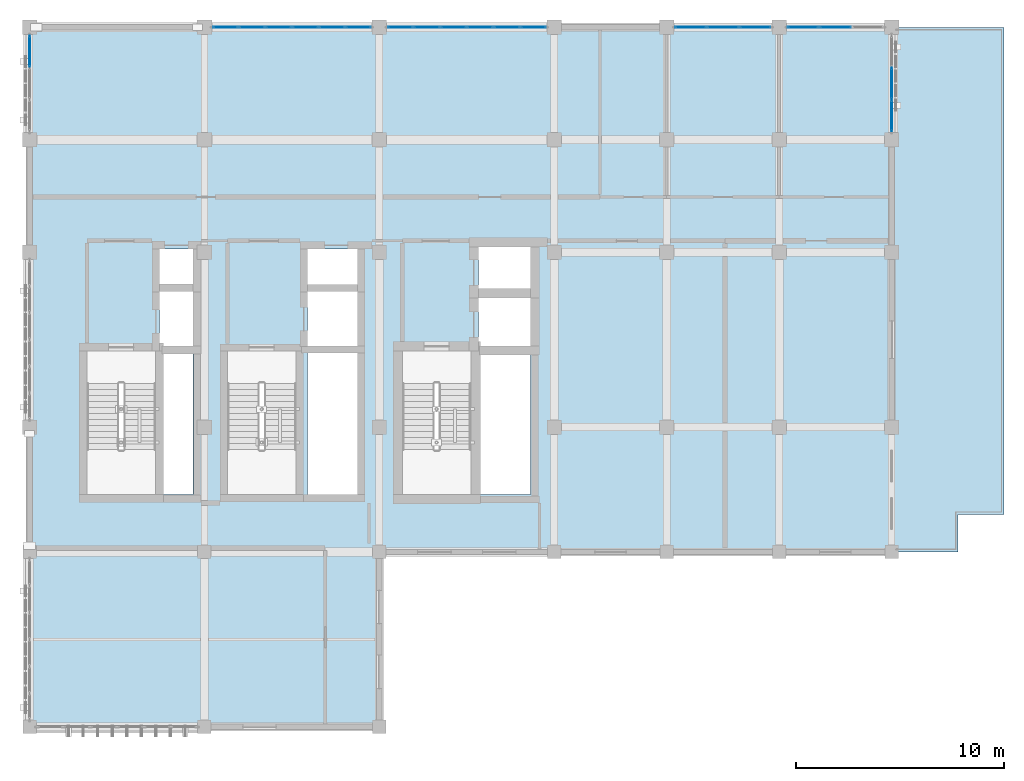
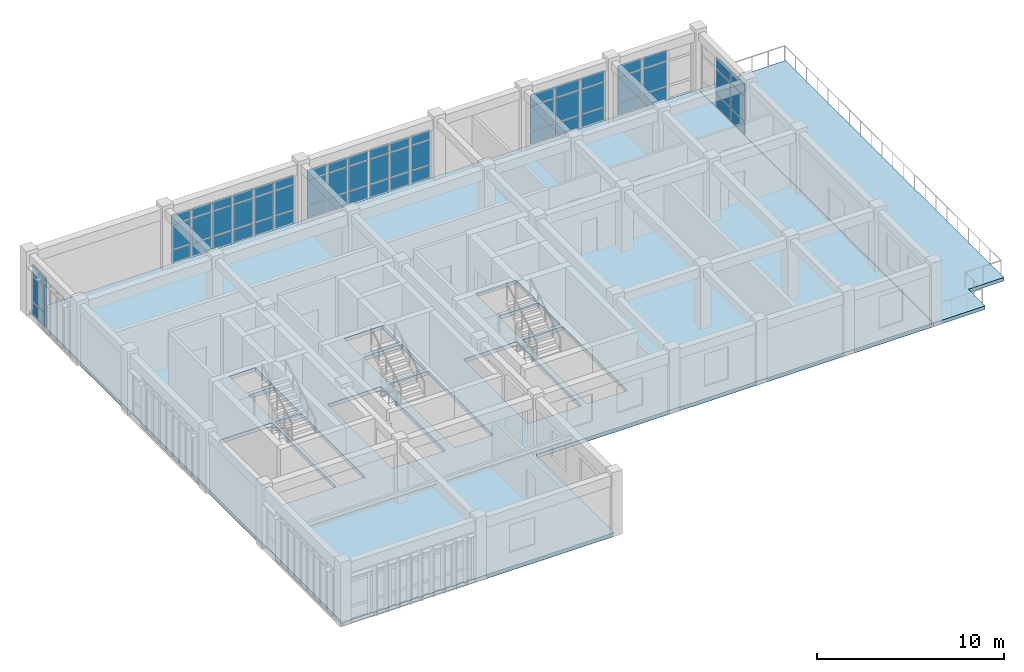
# One storey, part 17 of 22: 60 plates, 2 slabs, 6 elements without a shape of their own.
"""IFC4 building model written with IfcOpenShell, lengths in metres."""

from ifc_helpers import new_model, si_unit, direction, frame, origin, origin_2d, place, context, subcontext, project, spatial, polyline, rectangle, outline, extrude, material, layer, layer_set, type_object, element, aggregate, save


model = new_model("IFC4")

# Units and contexts
model_context = context("Model", 3, precision=1e-05, world=origin(), true_north=direction((0.0, 1.0)))
body_context = subcontext(model_context, "Body", "Model", "MODEL_VIEW")
ifc_project = project(units=[si_unit("LENGTHUNIT", "METRE"), si_unit("AREAUNIT", "SQUARE_METRE"), si_unit("VOLUMEUNIT", "CUBIC_METRE"), si_unit("PLANEANGLEUNIT", "RADIAN"), si_unit("MASSUNIT", "GRAM", prefix="KILO")], contexts=[model_context])

# Site, building, storey
site_placement = place(None, origin())
site = spatial("IfcSite", under=ifc_project, at=site_placement, CompositionType="ELEMENT")
building_placement = place(site_placement, origin())
building = spatial("IfcBuilding", under=site, at=building_placement, Name="Krzemoval Escarpment Law Courts", CompositionType="ELEMENT")
storey_placement = place(building_placement, frame((0.0, 0.0, 29.39990234375)))
storey = spatial("IfcBuildingStorey", under=building, at=storey_placement, Name="L06", CompositionType="ELEMENT", Elevation=29.39990234375)

# Curtain wall, plates
ifc_material_1 = material(Name="Aluminium 6063-T6", Category="aluminium")
ifc_layer_1 = layer(ifc_material_1, 0.219970703125)
ifc_layer_set_1 = layer_set([ifc_layer_1], Name="Aluminium 6063-T6")
curtain_wall_type = type_object("IfcCurtainWallType", Name="CW-CHMB-4200", PredefinedType="USERDEFINED", material=ifc_layer_set_1)
curtain_wall_1_placement = place(storey_placement, origin())
curtain_wall_1 = element("IfcCurtainWall", 1, at=curtain_wall_1_placement, inside=storey, type_object=curtain_wall_type, Name="Unitised Curtain Wall FCW-L06-148", ObjectType="UNITISED_CURTAIN_WALL", PredefinedType="USERDEFINED")
ifc_material_2 = material(Name="Triple Glazing IGU", Category="glass")
ifc_layer_2 = layer(ifc_material_2, 0.0419921875)
ifc_layer_set_2 = layer_set([ifc_layer_2], Name="Triple Glazing IGU")
plate_type = type_object("IfcPlateType", Name="CWP-GLZ-42", PredefinedType="CURTAIN_PANEL", material=ifc_layer_set_2)
plate_1_placement = place(storey_placement, frame((126.0, 117.650390625, 0.06494140625), z_axis=(0.0, 0.0, 1.0), x_axis=(0.0, 1.0, 0.0)))
plate_1 = element("IfcPlate", 2, at=plate_1_placement, type_object=plate_type, Name="FCW-L06-148 panel 3.1", PredefinedType="CURTAIN_PANEL", context=body_context, shape_type="SweptSolid", body=[
    extrude(rectangle(XDim=1.46923828125, YDim=0.0419921875, at=origin_2d()), origin(), (0.0, 0.0, 1.0), 0.802490234375),
])
plate_2_placement = place(storey_placement, frame((126.0, 117.650390625, 0.9326171875), z_axis=(0.0, 0.0, 1.0), x_axis=(0.0, 1.0, 0.0)))
plate_2 = element("IfcPlate", 3, at=plate_2_placement, type_object=plate_type, Name="FCW-L06-148 panel 3.2", PredefinedType="CURTAIN_PANEL", context=body_context, shape_type="SweptSolid", body=[
    extrude(rectangle(XDim=1.46923828125, YDim=0.0419921875, at=origin_2d()), origin(), (0.0, 0.0, 1.0), 1.5849609375),
])
plate_3_placement = place(storey_placement, frame((126.0, 117.650390625, 2.58251953125), z_axis=(0.0, 0.0, 1.0), x_axis=(0.0, 1.0, 0.0)))
plate_3 = element("IfcPlate", 4, at=plate_3_placement, type_object=plate_type, Name="FCW-L06-148 panel 3.3", PredefinedType="CURTAIN_PANEL", context=body_context, shape_type="SweptSolid", body=[
    extrude(rectangle(XDim=1.46923828125, YDim=0.0419921875, at=origin_2d()), origin(), (0.0, 0.0, 1.0), 0.75244140625),
])
aggregate(curtain_wall_1, [plate_1, plate_2, plate_3])

curtain_wall_2_placement = place(storey_placement, origin())
curtain_wall_2 = element("IfcCurtainWall", 5, at=curtain_wall_2_placement, inside=storey, type_object=curtain_wall_type, Name="Unitised Curtain Wall FCW-L06-149", ObjectType="UNITISED_CURTAIN_WALL", PredefinedType="USERDEFINED")
plate_4_placement = place(storey_placement, frame((135.407958984375, 118.800048828125, 0.06494140625), z_axis=(0.0, 0.0, 1.0), x_axis=(1.0, 0.0, 0.0)))
plate_4 = element("IfcPlate", 6, at=plate_4_placement, type_object=plate_type, Name="FCW-L06-149 panel 1.1", PredefinedType="CURTAIN_PANEL", context=body_context, shape_type="SweptSolid", body=[
    extrude(rectangle(XDim=1.185791015625, YDim=0.0419921875, at=origin_2d()), origin(), (0.0, 0.0, 1.0), 0.802490234375),
])
plate_5_placement = place(storey_placement, frame((135.407958984375, 118.800048828125, 0.9326171875), z_axis=(0.0, 0.0, 1.0), x_axis=(1.0, 0.0, 0.0)))
plate_5 = element("IfcPlate", 7, at=plate_5_placement, type_object=plate_type, Name="FCW-L06-149 panel 1.2", PredefinedType="CURTAIN_PANEL", context=body_context, shape_type="SweptSolid", body=[
    extrude(rectangle(XDim=1.185791015625, YDim=0.0419921875, at=origin_2d()), origin(), (0.0, 0.0, 1.0), 1.5849609375),
])
plate_6_placement = place(storey_placement, frame((135.407958984375, 118.800048828125, 2.58251953125), z_axis=(0.0, 0.0, 1.0), x_axis=(1.0, 0.0, 0.0)))
plate_6 = element("IfcPlate", 8, at=plate_6_placement, type_object=plate_type, Name="FCW-L06-149 panel 1.3", PredefinedType="CURTAIN_PANEL", context=body_context, shape_type="SweptSolid", body=[
    extrude(rectangle(XDim=1.185791015625, YDim=0.0419921875, at=origin_2d()), origin(), (0.0, 0.0, 1.0), 0.6025390625),
])
plate_7_placement = place(storey_placement, frame((136.675048828125, 118.800048828125, 0.06494140625), z_axis=(0.0, 0.0, 1.0), x_axis=(1.0, 0.0, 0.0)))
plate_7 = element("IfcPlate", 9, at=plate_7_placement, type_object=plate_type, Name="FCW-L06-149 panel 2.1", PredefinedType="CURTAIN_PANEL", context=body_context, shape_type="SweptSolid", body=[
    extrude(rectangle(XDim=1.21826171875, YDim=0.0419921875, at=origin_2d()), origin(), (0.0, 0.0, 1.0), 0.802490234375),
])
plate_8_placement = place(storey_placement, frame((136.675048828125, 118.800048828125, 0.9326171875), z_axis=(0.0, 0.0, 1.0), x_axis=(1.0, 0.0, 0.0)))
plate_8 = element("IfcPlate", 10, at=plate_8_placement, type_object=plate_type, Name="FCW-L06-149 panel 2.2", PredefinedType="CURTAIN_PANEL", context=body_context, shape_type="SweptSolid", body=[
    extrude(rectangle(XDim=1.21826171875, YDim=0.0419921875, at=origin_2d()), origin(), (0.0, 0.0, 1.0), 1.5849609375),
])
plate_9_placement = place(storey_placement, frame((136.675048828125, 118.800048828125, 2.58251953125), z_axis=(0.0, 0.0, 1.0), x_axis=(1.0, 0.0, 0.0)))
plate_9 = element("IfcPlate", 11, at=plate_9_placement, type_object=plate_type, Name="FCW-L06-149 panel 2.3", PredefinedType="CURTAIN_PANEL", context=body_context, shape_type="SweptSolid", body=[
    extrude(rectangle(XDim=1.21826171875, YDim=0.0419921875, at=origin_2d()), origin(), (0.0, 0.0, 1.0), 0.6025390625),
])
plate_10_placement = place(storey_placement, frame((137.958251953125, 118.800048828125, 0.06494140625), z_axis=(0.0, 0.0, 1.0), x_axis=(1.0, 0.0, 0.0)))
plate_10 = element("IfcPlate", 12, at=plate_10_placement, type_object=plate_type, Name="FCW-L06-149 panel 3.1", PredefinedType="CURTAIN_PANEL", context=body_context, shape_type="SweptSolid", body=[
    extrude(rectangle(XDim=1.21826171875, YDim=0.0419921875, at=origin_2d()), origin(), (0.0, 0.0, 1.0), 0.802490234375),
])
plate_11_placement = place(storey_placement, frame((137.958251953125, 118.800048828125, 0.9326171875), z_axis=(0.0, 0.0, 1.0), x_axis=(1.0, 0.0, 0.0)))
plate_11 = element("IfcPlate", 13, at=plate_11_placement, type_object=plate_type, Name="FCW-L06-149 panel 3.2", PredefinedType="CURTAIN_PANEL", context=body_context, shape_type="SweptSolid", body=[
    extrude(rectangle(XDim=1.21826171875, YDim=0.0419921875, at=origin_2d()), origin(), (0.0, 0.0, 1.0), 1.5849609375),
])
plate_12_placement = place(storey_placement, frame((137.958251953125, 118.800048828125, 2.58251953125), z_axis=(0.0, 0.0, 1.0), x_axis=(1.0, 0.0, 0.0)))
plate_12 = element("IfcPlate", 14, at=plate_12_placement, type_object=plate_type, Name="FCW-L06-149 panel 3.3", PredefinedType="CURTAIN_PANEL", context=body_context, shape_type="SweptSolid", body=[
    extrude(rectangle(XDim=1.21826171875, YDim=0.0419921875, at=origin_2d()), origin(), (0.0, 0.0, 1.0), 0.6025390625),
])
plate_13_placement = place(storey_placement, frame((139.24169921875, 118.800048828125, 0.06494140625), z_axis=(0.0, 0.0, 1.0), x_axis=(1.0, 0.0, 0.0)))
plate_13 = element("IfcPlate", 15, at=plate_13_placement, type_object=plate_type, Name="FCW-L06-149 panel 4.1", PredefinedType="CURTAIN_PANEL", context=body_context, shape_type="SweptSolid", body=[
    extrude(rectangle(XDim=1.21826171875, YDim=0.0419921875, at=origin_2d()), origin(), (0.0, 0.0, 1.0), 0.802490234375),
])
plate_14_placement = place(storey_placement, frame((139.24169921875, 118.800048828125, 0.9326171875), z_axis=(0.0, 0.0, 1.0), x_axis=(1.0, 0.0, 0.0)))
plate_14 = element("IfcPlate", 16, at=plate_14_placement, type_object=plate_type, Name="FCW-L06-149 panel 4.2", PredefinedType="CURTAIN_PANEL", context=body_context, shape_type="SweptSolid", body=[
    extrude(rectangle(XDim=1.21826171875, YDim=0.0419921875, at=origin_2d()), origin(), (0.0, 0.0, 1.0), 1.5849609375),
])
plate_15_placement = place(storey_placement, frame((139.24169921875, 118.800048828125, 2.58251953125), z_axis=(0.0, 0.0, 1.0), x_axis=(1.0, 0.0, 0.0)))
plate_15 = element("IfcPlate", 17, at=plate_15_placement, type_object=plate_type, Name="FCW-L06-149 panel 4.3", PredefinedType="CURTAIN_PANEL", context=body_context, shape_type="SweptSolid", body=[
    extrude(rectangle(XDim=1.21826171875, YDim=0.0419921875, at=origin_2d()), origin(), (0.0, 0.0, 1.0), 0.6025390625),
])
plate_16_placement = place(storey_placement, frame((140.52490234375, 118.800048828125, 0.06494140625), z_axis=(0.0, 0.0, 1.0), x_axis=(1.0, 0.0, 0.0)))
plate_16 = element("IfcPlate", 18, at=plate_16_placement, type_object=plate_type, Name="FCW-L06-149 panel 5.1", PredefinedType="CURTAIN_PANEL", context=body_context, shape_type="SweptSolid", body=[
    extrude(rectangle(XDim=1.21826171875, YDim=0.0419921875, at=origin_2d()), origin(), (0.0, 0.0, 1.0), 0.802490234375),
])
plate_17_placement = place(storey_placement, frame((140.52490234375, 118.800048828125, 0.9326171875), z_axis=(0.0, 0.0, 1.0), x_axis=(1.0, 0.0, 0.0)))
plate_17 = element("IfcPlate", 19, at=plate_17_placement, type_object=plate_type, Name="FCW-L06-149 panel 5.2", PredefinedType="CURTAIN_PANEL", context=body_context, shape_type="SweptSolid", body=[
    extrude(rectangle(XDim=1.21826171875, YDim=0.0419921875, at=origin_2d()), origin(), (0.0, 0.0, 1.0), 1.5849609375),
])
plate_18_placement = place(storey_placement, frame((140.52490234375, 118.800048828125, 2.58251953125), z_axis=(0.0, 0.0, 1.0), x_axis=(1.0, 0.0, 0.0)))
plate_18 = element("IfcPlate", 20, at=plate_18_placement, type_object=plate_type, Name="FCW-L06-149 panel 5.3", PredefinedType="CURTAIN_PANEL", context=body_context, shape_type="SweptSolid", body=[
    extrude(rectangle(XDim=1.21826171875, YDim=0.0419921875, at=origin_2d()), origin(), (0.0, 0.0, 1.0), 0.6025390625),
])
plate_19_placement = place(storey_placement, frame((141.7919921875, 118.800048828125, 0.06494140625), z_axis=(0.0, 0.0, 1.0), x_axis=(1.0, 0.0, 0.0)))
plate_19 = element("IfcPlate", 21, at=plate_19_placement, type_object=plate_type, Name="FCW-L06-149 panel 6.1", PredefinedType="CURTAIN_PANEL", context=body_context, shape_type="SweptSolid", body=[
    extrude(rectangle(XDim=1.185791015625, YDim=0.0419921875, at=origin_2d()), origin(), (0.0, 0.0, 1.0), 0.802490234375),
])
plate_20_placement = place(storey_placement, frame((141.7919921875, 118.800048828125, 0.9326171875), z_axis=(0.0, 0.0, 1.0), x_axis=(1.0, 0.0, 0.0)))
plate_20 = element("IfcPlate", 22, at=plate_20_placement, type_object=plate_type, Name="FCW-L06-149 panel 6.2", PredefinedType="CURTAIN_PANEL", context=body_context, shape_type="SweptSolid", body=[
    extrude(rectangle(XDim=1.185791015625, YDim=0.0419921875, at=origin_2d()), origin(), (0.0, 0.0, 1.0), 1.5849609375),
])
plate_21_placement = place(storey_placement, frame((141.7919921875, 118.800048828125, 2.58251953125), z_axis=(0.0, 0.0, 1.0), x_axis=(1.0, 0.0, 0.0)))
plate_21 = element("IfcPlate", 23, at=plate_21_placement, type_object=plate_type, Name="FCW-L06-149 panel 6.3", PredefinedType="CURTAIN_PANEL", context=body_context, shape_type="SweptSolid", body=[
    extrude(rectangle(XDim=1.185791015625, YDim=0.0419921875, at=origin_2d()), origin(), (0.0, 0.0, 1.0), 0.6025390625),
])
aggregate(curtain_wall_2, [plate_4, plate_5, plate_6, plate_7, plate_8, plate_9, plate_10, plate_11, plate_12, plate_13, plate_14, plate_15, plate_16, plate_17, plate_18, plate_19, plate_20, plate_21])

curtain_wall_3_placement = place(storey_placement, origin())
curtain_wall_3 = element("IfcCurtainWall", 24, at=curtain_wall_3_placement, inside=storey, type_object=curtain_wall_type, Name="Unitised Curtain Wall FCW-L06-150", ObjectType="UNITISED_CURTAIN_WALL", PredefinedType="USERDEFINED")
plate_22_placement = place(storey_placement, frame((143.807861328125, 118.800048828125, 0.06494140625), z_axis=(0.0, 0.0, 1.0), x_axis=(1.0, 0.0, 0.0)))
plate_22 = element("IfcPlate", 25, at=plate_22_placement, type_object=plate_type, Name="FCW-L06-150 panel 1.1", PredefinedType="CURTAIN_PANEL", context=body_context, shape_type="SweptSolid", body=[
    extrude(rectangle(XDim=1.185791015625, YDim=0.0419921875, at=origin_2d()), origin(), (0.0, 0.0, 1.0), 0.802490234375),
])
plate_23_placement = place(storey_placement, frame((143.807861328125, 118.800048828125, 0.9326171875), z_axis=(0.0, 0.0, 1.0), x_axis=(1.0, 0.0, 0.0)))
plate_23 = element("IfcPlate", 26, at=plate_23_placement, type_object=plate_type, Name="FCW-L06-150 panel 1.2", PredefinedType="CURTAIN_PANEL", context=body_context, shape_type="SweptSolid", body=[
    extrude(rectangle(XDim=1.185791015625, YDim=0.0419921875, at=origin_2d()), origin(), (0.0, 0.0, 1.0), 1.5849609375),
])
plate_24_placement = place(storey_placement, frame((143.807861328125, 118.800048828125, 2.58251953125), z_axis=(0.0, 0.0, 1.0), x_axis=(1.0, 0.0, 0.0)))
plate_24 = element("IfcPlate", 27, at=plate_24_placement, type_object=plate_type, Name="FCW-L06-150 panel 1.3", PredefinedType="CURTAIN_PANEL", context=body_context, shape_type="SweptSolid", body=[
    extrude(rectangle(XDim=1.185791015625, YDim=0.0419921875, at=origin_2d()), origin(), (0.0, 0.0, 1.0), 0.6025390625),
])
plate_25_placement = place(storey_placement, frame((145.074951171875, 118.800048828125, 0.06494140625), z_axis=(0.0, 0.0, 1.0), x_axis=(1.0, 0.0, 0.0)))
plate_25 = element("IfcPlate", 28, at=plate_25_placement, type_object=plate_type, Name="FCW-L06-150 panel 2.1", PredefinedType="CURTAIN_PANEL", context=body_context, shape_type="SweptSolid", body=[
    extrude(rectangle(XDim=1.21826171875, YDim=0.0419921875, at=origin_2d()), origin(), (0.0, 0.0, 1.0), 0.802490234375),
])
plate_26_placement = place(storey_placement, frame((145.074951171875, 118.800048828125, 0.9326171875), z_axis=(0.0, 0.0, 1.0), x_axis=(1.0, 0.0, 0.0)))
plate_26 = element("IfcPlate", 29, at=plate_26_placement, type_object=plate_type, Name="FCW-L06-150 panel 2.2", PredefinedType="CURTAIN_PANEL", context=body_context, shape_type="SweptSolid", body=[
    extrude(rectangle(XDim=1.21826171875, YDim=0.0419921875, at=origin_2d()), origin(), (0.0, 0.0, 1.0), 1.5849609375),
])
plate_27_placement = place(storey_placement, frame((145.074951171875, 118.800048828125, 2.58251953125), z_axis=(0.0, 0.0, 1.0), x_axis=(1.0, 0.0, 0.0)))
plate_27 = element("IfcPlate", 30, at=plate_27_placement, type_object=plate_type, Name="FCW-L06-150 panel 2.3", PredefinedType="CURTAIN_PANEL", context=body_context, shape_type="SweptSolid", body=[
    extrude(rectangle(XDim=1.21826171875, YDim=0.0419921875, at=origin_2d()), origin(), (0.0, 0.0, 1.0), 0.6025390625),
])
plate_28_placement = place(storey_placement, frame((146.3583984375, 118.800048828125, 0.06494140625), z_axis=(0.0, 0.0, 1.0), x_axis=(1.0, 0.0, 0.0)))
plate_28 = element("IfcPlate", 31, at=plate_28_placement, type_object=plate_type, Name="FCW-L06-150 panel 3.1", PredefinedType="CURTAIN_PANEL", context=body_context, shape_type="SweptSolid", body=[
    extrude(rectangle(XDim=1.21826171875, YDim=0.0419921875, at=origin_2d()), origin(), (0.0, 0.0, 1.0), 0.802490234375),
])
plate_29_placement = place(storey_placement, frame((146.3583984375, 118.800048828125, 0.9326171875), z_axis=(0.0, 0.0, 1.0), x_axis=(1.0, 0.0, 0.0)))
plate_29 = element("IfcPlate", 32, at=plate_29_placement, type_object=plate_type, Name="FCW-L06-150 panel 3.2", PredefinedType="CURTAIN_PANEL", context=body_context, shape_type="SweptSolid", body=[
    extrude(rectangle(XDim=1.21826171875, YDim=0.0419921875, at=origin_2d()), origin(), (0.0, 0.0, 1.0), 1.5849609375),
])
plate_30_placement = place(storey_placement, frame((146.3583984375, 118.800048828125, 2.58251953125), z_axis=(0.0, 0.0, 1.0), x_axis=(1.0, 0.0, 0.0)))
plate_30 = element("IfcPlate", 33, at=plate_30_placement, type_object=plate_type, Name="FCW-L06-150 panel 3.3", PredefinedType="CURTAIN_PANEL", context=body_context, shape_type="SweptSolid", body=[
    extrude(rectangle(XDim=1.21826171875, YDim=0.0419921875, at=origin_2d()), origin(), (0.0, 0.0, 1.0), 0.6025390625),
])
plate_31_placement = place(storey_placement, frame((147.6416015625, 118.800048828125, 0.06494140625), z_axis=(0.0, 0.0, 1.0), x_axis=(1.0, 0.0, 0.0)))
plate_31 = element("IfcPlate", 34, at=plate_31_placement, type_object=plate_type, Name="FCW-L06-150 panel 4.1", PredefinedType="CURTAIN_PANEL", context=body_context, shape_type="SweptSolid", body=[
    extrude(rectangle(XDim=1.21826171875, YDim=0.0419921875, at=origin_2d()), origin(), (0.0, 0.0, 1.0), 0.802490234375),
])
plate_32_placement = place(storey_placement, frame((147.6416015625, 118.800048828125, 0.9326171875), z_axis=(0.0, 0.0, 1.0), x_axis=(1.0, 0.0, 0.0)))
plate_32 = element("IfcPlate", 35, at=plate_32_placement, type_object=plate_type, Name="FCW-L06-150 panel 4.2", PredefinedType="CURTAIN_PANEL", context=body_context, shape_type="SweptSolid", body=[
    extrude(rectangle(XDim=1.21826171875, YDim=0.0419921875, at=origin_2d()), origin(), (0.0, 0.0, 1.0), 1.5849609375),
])
plate_33_placement = place(storey_placement, frame((147.6416015625, 118.800048828125, 2.58251953125), z_axis=(0.0, 0.0, 1.0), x_axis=(1.0, 0.0, 0.0)))
plate_33 = element("IfcPlate", 36, at=plate_33_placement, type_object=plate_type, Name="FCW-L06-150 panel 4.3", PredefinedType="CURTAIN_PANEL", context=body_context, shape_type="SweptSolid", body=[
    extrude(rectangle(XDim=1.21826171875, YDim=0.0419921875, at=origin_2d()), origin(), (0.0, 0.0, 1.0), 0.6025390625),
])
plate_34_placement = place(storey_placement, frame((148.925048828125, 118.800048828125, 0.06494140625), z_axis=(0.0, 0.0, 1.0), x_axis=(1.0, 0.0, 0.0)))
plate_34 = element("IfcPlate", 37, at=plate_34_placement, type_object=plate_type, Name="FCW-L06-150 panel 5.1", PredefinedType="CURTAIN_PANEL", context=body_context, shape_type="SweptSolid", body=[
    extrude(rectangle(XDim=1.21826171875, YDim=0.0419921875, at=origin_2d()), origin(), (0.0, 0.0, 1.0), 0.802490234375),
])
plate_35_placement = place(storey_placement, frame((148.925048828125, 118.800048828125, 0.9326171875), z_axis=(0.0, 0.0, 1.0), x_axis=(1.0, 0.0, 0.0)))
plate_35 = element("IfcPlate", 38, at=plate_35_placement, type_object=plate_type, Name="FCW-L06-150 panel 5.2", PredefinedType="CURTAIN_PANEL", context=body_context, shape_type="SweptSolid", body=[
    extrude(rectangle(XDim=1.21826171875, YDim=0.0419921875, at=origin_2d()), origin(), (0.0, 0.0, 1.0), 1.5849609375),
])
plate_36_placement = place(storey_placement, frame((148.925048828125, 118.800048828125, 2.58251953125), z_axis=(0.0, 0.0, 1.0), x_axis=(1.0, 0.0, 0.0)))
plate_36 = element("IfcPlate", 39, at=plate_36_placement, type_object=plate_type, Name="FCW-L06-150 panel 5.3", PredefinedType="CURTAIN_PANEL", context=body_context, shape_type="SweptSolid", body=[
    extrude(rectangle(XDim=1.21826171875, YDim=0.0419921875, at=origin_2d()), origin(), (0.0, 0.0, 1.0), 0.6025390625),
])
plate_37_placement = place(storey_placement, frame((150.192138671875, 118.800048828125, 0.06494140625), z_axis=(0.0, 0.0, 1.0), x_axis=(1.0, 0.0, 0.0)))
plate_37 = element("IfcPlate", 40, at=plate_37_placement, type_object=plate_type, Name="FCW-L06-150 panel 6.1", PredefinedType="CURTAIN_PANEL", context=body_context, shape_type="SweptSolid", body=[
    extrude(rectangle(XDim=1.185791015625, YDim=0.0419921875, at=origin_2d()), origin(), (0.0, 0.0, 1.0), 0.802490234375),
])
plate_38_placement = place(storey_placement, frame((150.192138671875, 118.800048828125, 0.9326171875), z_axis=(0.0, 0.0, 1.0), x_axis=(1.0, 0.0, 0.0)))
plate_38 = element("IfcPlate", 41, at=plate_38_placement, type_object=plate_type, Name="FCW-L06-150 panel 6.2", PredefinedType="CURTAIN_PANEL", context=body_context, shape_type="SweptSolid", body=[
    extrude(rectangle(XDim=1.185791015625, YDim=0.0419921875, at=origin_2d()), origin(), (0.0, 0.0, 1.0), 1.5849609375),
])
plate_39_placement = place(storey_placement, frame((150.192138671875, 118.800048828125, 2.58251953125), z_axis=(0.0, 0.0, 1.0), x_axis=(1.0, 0.0, 0.0)))
plate_39 = element("IfcPlate", 42, at=plate_39_placement, type_object=plate_type, Name="FCW-L06-150 panel 6.3", PredefinedType="CURTAIN_PANEL", context=body_context, shape_type="SweptSolid", body=[
    extrude(rectangle(XDim=1.185791015625, YDim=0.0419921875, at=origin_2d()), origin(), (0.0, 0.0, 1.0), 0.6025390625),
])
aggregate(curtain_wall_3, [plate_22, plate_23, plate_24, plate_25, plate_26, plate_27, plate_28, plate_29, plate_30, plate_31, plate_32, plate_33, plate_34, plate_35, plate_36, plate_37, plate_38, plate_39])

curtain_wall_4_placement = place(storey_placement, origin())
curtain_wall_4 = element("IfcCurtainWall", 43, at=curtain_wall_4_placement, inside=storey, type_object=curtain_wall_type, Name="Unitised Curtain Wall FCW-L06-151", ObjectType="UNITISED_CURTAIN_WALL", PredefinedType="USERDEFINED")
plate_40_placement = place(storey_placement, frame((157.74951171875, 118.800048828125, 0.06494140625), z_axis=(0.0, 0.0, 1.0), x_axis=(1.0, 0.0, 0.0)))
plate_40 = element("IfcPlate", 44, at=plate_40_placement, type_object=plate_type, Name="FCW-L06-151 panel 1.1", PredefinedType="CURTAIN_PANEL", context=body_context, shape_type="SweptSolid", body=[
    extrude(rectangle(XDim=1.46923828125, YDim=0.0419921875, at=origin_2d()), origin(), (0.0, 0.0, 1.0), 0.802490234375),
])
plate_41_placement = place(storey_placement, frame((157.74951171875, 118.800048828125, 0.9326171875), z_axis=(0.0, 0.0, 1.0), x_axis=(1.0, 0.0, 0.0)))
plate_41 = element("IfcPlate", 45, at=plate_41_placement, type_object=plate_type, Name="FCW-L06-151 panel 1.2", PredefinedType="CURTAIN_PANEL", context=body_context, shape_type="SweptSolid", body=[
    extrude(rectangle(XDim=1.46923828125, YDim=0.0419921875, at=origin_2d()), origin(), (0.0, 0.0, 1.0), 1.5849609375),
])
plate_42_placement = place(storey_placement, frame((157.74951171875, 118.800048828125, 2.58251953125), z_axis=(0.0, 0.0, 1.0), x_axis=(1.0, 0.0, 0.0)))
plate_42 = element("IfcPlate", 46, at=plate_42_placement, type_object=plate_type, Name="FCW-L06-151 panel 1.3", PredefinedType="CURTAIN_PANEL", context=body_context, shape_type="SweptSolid", body=[
    extrude(rectangle(XDim=1.46923828125, YDim=0.0419921875, at=origin_2d()), origin(), (0.0, 0.0, 1.0), 0.702392578125),
])
plate_43_placement = place(storey_placement, frame((159.300048828125, 118.800048828125, 0.06494140625), z_axis=(0.0, 0.0, 1.0), x_axis=(1.0, 0.0, 0.0)))
plate_43 = element("IfcPlate", 47, at=plate_43_placement, type_object=plate_type, Name="FCW-L06-151 panel 2.1", PredefinedType="CURTAIN_PANEL", context=body_context, shape_type="SweptSolid", body=[
    extrude(rectangle(XDim=1.501708984375, YDim=0.0419921875, at=origin_2d()), origin(), (0.0, 0.0, 1.0), 0.802490234375),
])
plate_44_placement = place(storey_placement, frame((159.300048828125, 118.800048828125, 0.9326171875), z_axis=(0.0, 0.0, 1.0), x_axis=(1.0, 0.0, 0.0)))
plate_44 = element("IfcPlate", 48, at=plate_44_placement, type_object=plate_type, Name="FCW-L06-151 panel 2.2", PredefinedType="CURTAIN_PANEL", context=body_context, shape_type="SweptSolid", body=[
    extrude(rectangle(XDim=1.501708984375, YDim=0.0419921875, at=origin_2d()), origin(), (0.0, 0.0, 1.0), 1.5849609375),
])
plate_45_placement = place(storey_placement, frame((159.300048828125, 118.800048828125, 2.58251953125), z_axis=(0.0, 0.0, 1.0), x_axis=(1.0, 0.0, 0.0)))
plate_45 = element("IfcPlate", 49, at=plate_45_placement, type_object=plate_type, Name="FCW-L06-151 panel 2.3", PredefinedType="CURTAIN_PANEL", context=body_context, shape_type="SweptSolid", body=[
    extrude(rectangle(XDim=1.501708984375, YDim=0.0419921875, at=origin_2d()), origin(), (0.0, 0.0, 1.0), 0.702392578125),
])
plate_46_placement = place(storey_placement, frame((160.850341796875, 118.800048828125, 0.06494140625), z_axis=(0.0, 0.0, 1.0), x_axis=(1.0, 0.0, 0.0)))
plate_46 = element("IfcPlate", 50, at=plate_46_placement, type_object=plate_type, Name="FCW-L06-151 panel 3.1", PredefinedType="CURTAIN_PANEL", context=body_context, shape_type="SweptSolid", body=[
    extrude(rectangle(XDim=1.46923828125, YDim=0.0419921875, at=origin_2d()), origin(), (0.0, 0.0, 1.0), 0.802490234375),
])
plate_47_placement = place(storey_placement, frame((160.850341796875, 118.800048828125, 0.9326171875), z_axis=(0.0, 0.0, 1.0), x_axis=(1.0, 0.0, 0.0)))
plate_47 = element("IfcPlate", 51, at=plate_47_placement, type_object=plate_type, Name="FCW-L06-151 panel 3.2", PredefinedType="CURTAIN_PANEL", context=body_context, shape_type="SweptSolid", body=[
    extrude(rectangle(XDim=1.46923828125, YDim=0.0419921875, at=origin_2d()), origin(), (0.0, 0.0, 1.0), 1.5849609375),
])
plate_48_placement = place(storey_placement, frame((160.850341796875, 118.800048828125, 2.58251953125), z_axis=(0.0, 0.0, 1.0), x_axis=(1.0, 0.0, 0.0)))
plate_48 = element("IfcPlate", 52, at=plate_48_placement, type_object=plate_type, Name="FCW-L06-151 panel 3.3", PredefinedType="CURTAIN_PANEL", context=body_context, shape_type="SweptSolid", body=[
    extrude(rectangle(XDim=1.46923828125, YDim=0.0419921875, at=origin_2d()), origin(), (0.0, 0.0, 1.0), 0.702392578125),
])
aggregate(curtain_wall_4, [plate_40, plate_41, plate_42, plate_43, plate_44, plate_45, plate_46, plate_47, plate_48])

curtain_wall_5_placement = place(storey_placement, origin())
curtain_wall_5 = element("IfcCurtainWall", 53, at=curtain_wall_5_placement, inside=storey, type_object=curtain_wall_type, Name="Unitised Curtain Wall FCW-L06-152", ObjectType="UNITISED_CURTAIN_WALL", PredefinedType="USERDEFINED")
plate_49_placement = place(storey_placement, frame((163.149658203125, 118.800048828125, 0.06494140625), z_axis=(0.0, 0.0, 1.0), x_axis=(1.0, 0.0, 0.0)))
plate_49 = element("IfcPlate", 54, at=plate_49_placement, type_object=plate_type, Name="FCW-L06-152 panel 1.1", PredefinedType="CURTAIN_PANEL", context=body_context, shape_type="SweptSolid", body=[
    extrude(rectangle(XDim=1.46923828125, YDim=0.0419921875, at=origin_2d()), origin(), (0.0, 0.0, 1.0), 0.802490234375),
])
plate_50_placement = place(storey_placement, frame((163.149658203125, 118.800048828125, 0.9326171875), z_axis=(0.0, 0.0, 1.0), x_axis=(1.0, 0.0, 0.0)))
plate_50 = element("IfcPlate", 55, at=plate_50_placement, type_object=plate_type, Name="FCW-L06-152 panel 1.2", PredefinedType="CURTAIN_PANEL", context=body_context, shape_type="SweptSolid", body=[
    extrude(rectangle(XDim=1.46923828125, YDim=0.0419921875, at=origin_2d()), origin(), (0.0, 0.0, 1.0), 1.5849609375),
])
plate_51_placement = place(storey_placement, frame((163.149658203125, 118.800048828125, 2.58251953125), z_axis=(0.0, 0.0, 1.0), x_axis=(1.0, 0.0, 0.0)))
plate_51 = element("IfcPlate", 56, at=plate_51_placement, type_object=plate_type, Name="FCW-L06-152 panel 1.3", PredefinedType="CURTAIN_PANEL", context=body_context, shape_type="SweptSolid", body=[
    extrude(rectangle(XDim=1.46923828125, YDim=0.0419921875, at=origin_2d()), origin(), (0.0, 0.0, 1.0), 0.702392578125),
])
plate_52_placement = place(storey_placement, frame((164.699951171875, 118.800048828125, 0.06494140625), z_axis=(0.0, 0.0, 1.0), x_axis=(1.0, 0.0, 0.0)))
plate_52 = element("IfcPlate", 57, at=plate_52_placement, type_object=plate_type, Name="FCW-L06-152 panel 2.1", PredefinedType="CURTAIN_PANEL", context=body_context, shape_type="SweptSolid", body=[
    extrude(rectangle(XDim=1.501708984375, YDim=0.0419921875, at=origin_2d()), origin(), (0.0, 0.0, 1.0), 0.802490234375),
])
plate_53_placement = place(storey_placement, frame((164.699951171875, 118.800048828125, 0.9326171875), z_axis=(0.0, 0.0, 1.0), x_axis=(1.0, 0.0, 0.0)))
plate_53 = element("IfcPlate", 58, at=plate_53_placement, type_object=plate_type, Name="FCW-L06-152 panel 2.2", PredefinedType="CURTAIN_PANEL", context=body_context, shape_type="SweptSolid", body=[
    extrude(rectangle(XDim=1.501708984375, YDim=0.0419921875, at=origin_2d()), origin(), (0.0, 0.0, 1.0), 1.5849609375),
])
plate_54_placement = place(storey_placement, frame((164.699951171875, 118.800048828125, 2.58251953125), z_axis=(0.0, 0.0, 1.0), x_axis=(1.0, 0.0, 0.0)))
plate_54 = element("IfcPlate", 59, at=plate_54_placement, type_object=plate_type, Name="FCW-L06-152 panel 2.3", PredefinedType="CURTAIN_PANEL", context=body_context, shape_type="SweptSolid", body=[
    extrude(rectangle(XDim=1.501708984375, YDim=0.0419921875, at=origin_2d()), origin(), (0.0, 0.0, 1.0), 0.702392578125),
])
aggregate(curtain_wall_5, [plate_49, plate_50, plate_51, plate_52, plate_53, plate_54])

curtain_wall_6_placement = place(storey_placement, origin())
curtain_wall_6 = element("IfcCurtainWall", 60, at=curtain_wall_6_placement, inside=storey, type_object=curtain_wall_type, Name="Unitised Curtain Wall FCW-L06-153", ObjectType="UNITISED_CURTAIN_WALL", PredefinedType="USERDEFINED")
plate_55_placement = place(storey_placement, frame((167.39990234375, 116.10009765625, 0.06494140625), z_axis=(0.0, 0.0, 1.0), x_axis=(0.0, -1.0, 0.0)))
plate_55 = element("IfcPlate", 61, at=plate_55_placement, type_object=plate_type, Name="FCW-L06-153 panel 2.1", PredefinedType="CURTAIN_PANEL", context=body_context, shape_type="SweptSolid", body=[
    extrude(rectangle(XDim=1.501708984375, YDim=0.0419921875, at=origin_2d()), origin(), (0.0, 0.0, 1.0), 0.802490234375),
])
plate_56_placement = place(storey_placement, frame((167.39990234375, 116.10009765625, 0.9326171875), z_axis=(0.0, 0.0, 1.0), x_axis=(0.0, -1.0, 0.0)))
plate_56 = element("IfcPlate", 62, at=plate_56_placement, type_object=plate_type, Name="FCW-L06-153 panel 2.2", PredefinedType="CURTAIN_PANEL", context=body_context, shape_type="SweptSolid", body=[
    extrude(rectangle(XDim=1.501708984375, YDim=0.0419921875, at=origin_2d()), origin(), (0.0, 0.0, 1.0), 1.5849609375),
])
plate_57_placement = place(storey_placement, frame((167.39990234375, 116.10009765625, 2.58251953125), z_axis=(0.0, 0.0, 1.0), x_axis=(0.0, -1.0, 0.0)))
plate_57 = element("IfcPlate", 63, at=plate_57_placement, type_object=plate_type, Name="FCW-L06-153 panel 2.3", PredefinedType="CURTAIN_PANEL", context=body_context, shape_type="SweptSolid", body=[
    extrude(rectangle(XDim=1.501708984375, YDim=0.0419921875, at=origin_2d()), origin(), (0.0, 0.0, 1.0), 0.75244140625),
])
plate_58_placement = place(storey_placement, frame((167.39990234375, 114.549560546875, 0.06494140625), z_axis=(0.0, 0.0, 1.0), x_axis=(0.0, -1.0, 0.0)))
plate_58 = element("IfcPlate", 64, at=plate_58_placement, type_object=plate_type, Name="FCW-L06-153 panel 3.1", PredefinedType="CURTAIN_PANEL", context=body_context, shape_type="SweptSolid", body=[
    extrude(rectangle(XDim=1.46923828125, YDim=0.0419921875, at=origin_2d()), origin(), (0.0, 0.0, 1.0), 0.802490234375),
])
plate_59_placement = place(storey_placement, frame((167.39990234375, 114.549560546875, 0.9326171875), z_axis=(0.0, 0.0, 1.0), x_axis=(0.0, -1.0, 0.0)))
plate_59 = element("IfcPlate", 65, at=plate_59_placement, type_object=plate_type, Name="FCW-L06-153 panel 3.2", PredefinedType="CURTAIN_PANEL", context=body_context, shape_type="SweptSolid", body=[
    extrude(rectangle(XDim=1.46923828125, YDim=0.0419921875, at=origin_2d()), origin(), (0.0, 0.0, 1.0), 1.5849609375),
])
plate_60_placement = place(storey_placement, frame((167.39990234375, 114.549560546875, 2.58251953125), z_axis=(0.0, 0.0, 1.0), x_axis=(0.0, -1.0, 0.0)))
plate_60 = element("IfcPlate", 66, at=plate_60_placement, type_object=plate_type, Name="FCW-L06-153 panel 3.3", PredefinedType="CURTAIN_PANEL", context=body_context, shape_type="SweptSolid", body=[
    extrude(rectangle(XDim=1.46923828125, YDim=0.0419921875, at=origin_2d()), origin(), (0.0, 0.0, 1.0), 0.75244140625),
])
aggregate(curtain_wall_6, [plate_55, plate_56, plate_57, plate_58, plate_59, plate_60])

# Slabs
ifc_material_3 = material(Name="Concrete C40/50", Category="concrete")
ifc_layer_3 = layer(ifc_material_3, 0.25)
ifc_layer_set_3 = layer_set([ifc_layer_3], Name="Concrete C40/50")
slab_type_1 = type_object("IfcSlabType", Name="SL-FLR-250", PredefinedType="FLOOR", material=ifc_layer_set_3)
slab_1_placement = place(storey_placement, frame((0.0, 0.0, -0.25)))
element("IfcSlab", 67, at=slab_1_placement, inside=storey, type_object=slab_type_1, Name="Floor Slab SL-L06-V5-046", PredefinedType="FLOOR", context=body_context, shape_type="SweptSolid", body=[
    extrude(outline(polyline([(142.800048828125, 93.60009765625), (142.800048828125, 85.199951171875), (126.0, 85.199951171875), (126.0, 118.800048828125), (167.39990234375, 118.800048828125), (167.39990234375, 93.60009765625), (142.800048828125, 93.60009765625)]), holes=[polyline([(133.85009765625, 103.5), (133.85009765625, 106.10009765625), (132.25, 106.10009765625), (132.25, 103.5), (133.85009765625, 103.5)]), polyline([(132.25, 106.35009765625), (133.85009765625, 106.35009765625), (133.85009765625, 108.14990234375), (132.25, 108.14990234375), (132.25, 106.35009765625)]), polyline([(132.25, 103.25), (132.25, 96.35009765625), (133.85009765625, 96.35009765625), (133.85009765625, 103.25), (132.25, 103.25)]), polyline([(141.75, 106.10009765625), (139.35009765625, 106.10009765625), (139.35009765625, 103.5), (141.75, 103.5), (141.75, 106.10009765625)]), polyline([(141.75, 106.35009765625), (141.75, 108.14990234375), (139.35009765625, 108.14990234375), (139.35009765625, 106.35009765625), (141.75, 106.35009765625)]), polyline([(139.35009765625, 96.35009765625), (141.75, 96.35009765625), (141.75, 103.25), (139.35009765625, 103.25), (139.35009765625, 96.35009765625)]), polyline([(147.550048828125, 105.800048828125), (147.550048828125, 103.5), (150.050048828125, 103.5), (150.050048828125, 105.800048828125), (147.550048828125, 105.800048828125)]), polyline([(150.050048828125, 108.25), (147.550048828125, 108.25), (147.550048828125, 106.050048828125), (150.050048828125, 106.050048828125), (150.050048828125, 108.25)]), polyline([(150.050048828125, 96.35009765625), (150.050048828125, 103.25), (147.550048828125, 103.25), (147.550048828125, 96.35009765625), (150.050048828125, 96.35009765625)]), polyline([(128.75, 96.35009765625), (132.050048828125, 96.35009765625), (132.050048828125, 103.25), (128.75, 103.25), (128.75, 96.35009765625)]), polyline([(135.5, 103.25), (135.5, 96.35009765625), (138.800048828125, 96.35009765625), (138.800048828125, 103.25), (135.5, 103.25)]), polyline([(147.199951171875, 103.25), (143.89990234375, 103.25), (143.89990234375, 96.35009765625), (147.199951171875, 96.35009765625), (147.199951171875, 103.25)])]), origin(), (0.0, 0.0, 1.0), 0.25),
])
ifc_material_4 = material(Name="Concrete C40/50", Category="concrete")
ifc_layer_4 = layer(ifc_material_4, 0.22998046875)
ifc_layer_set_4 = layer_set([ifc_layer_4], Name="Concrete C40/50")
slab_type_2 = type_object("IfcSlabType", Name="SL-TER-320", PredefinedType="ROOF", material=ifc_layer_set_4)
slab_2_placement = place(storey_placement, frame((0.0, 0.0, -0.22998046875)))
element("IfcSlab", 68, at=slab_2_placement, inside=storey, type_object=slab_type_2, Name="Planted Roof Terrace Step 3", PredefinedType="ROOF", context=body_context, shape_type="SweptSolid", body=[
    extrude(outline(polyline([(167.39990234375, 118.800048828125), (172.800048828125, 118.800048828125), (172.800048828125, 95.39990234375), (170.60009765625, 95.39990234375), (170.60009765625, 93.60009765625), (167.39990234375, 93.60009765625), (167.39990234375, 118.800048828125)])), origin(), (0.0, 0.0, 1.0), 0.22998046875),
])

save(model, "model.ifc")
